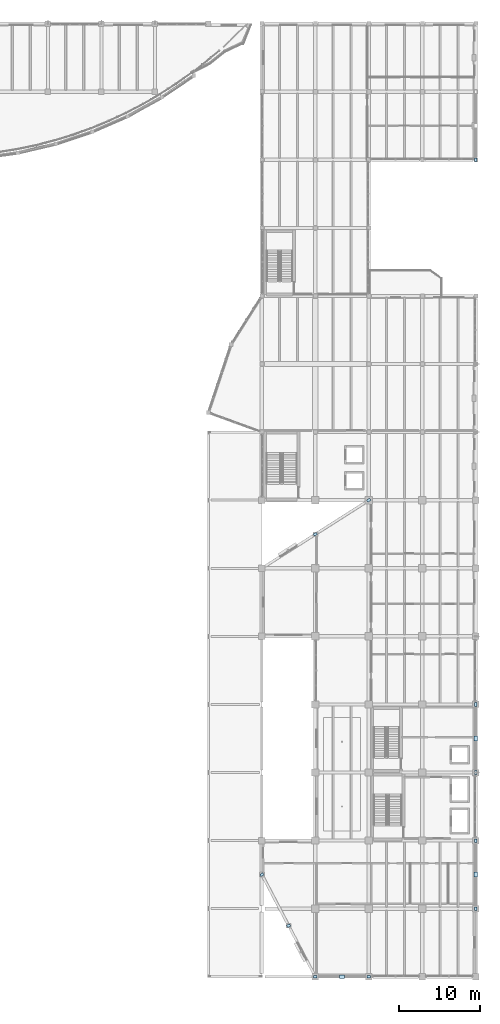
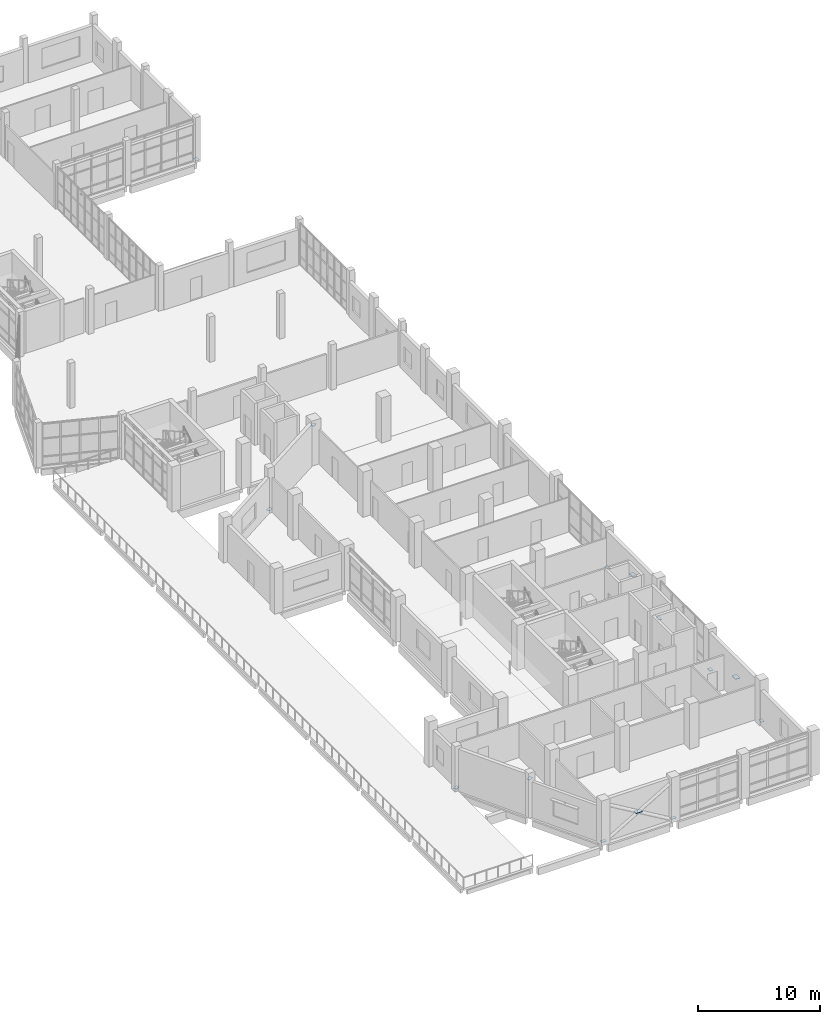
# One storey, part 48 of 83: 14 plates.
"""IFC4 building model written with IfcOpenShell, lengths in metres."""

import ifcopenshell
import ifcopenshell.guid

model = None  # the IFC model being written
_history = None  # IfcOwnerHistory: only IFC2X3 demands one
_inside = {}  # id of a spatial element -> (the spatial element, [elements in it])
_under = {}  # id of a project, library or spatial element -> (it, [spatial elements below it])
_declared = {}  # id of a project -> (the project, [libraries it declares])
_typed = {}  # id of a type object -> (the type object, [elements of that type])
_made_of = {}  # id of a material, layer set ... -> (it, [elements and type objects made of it])


def new_model(schema):
    """Start an empty IFC model of exactly this schema.

    Asked for "IFC4X3", IfcOpenShell would pick the latest addendum, in which some entities
    have other attributes; the version numbers below select the first issue.
    IFC2X3 requires an IfcOwnerHistory on every rooted entity: one is made here for all.
    """
    global model, _history
    if schema == "IFC4X3":
        model = ifcopenshell.file(schema_version=(4, 3, 0, 0))
    else:
        model = ifcopenshell.file(schema=schema)
    _inside.clear()
    _under.clear()
    _declared.clear()
    _typed.clear()
    _made_of.clear()
    _history = None
    if model.schema == "IFC2X3":
        org = make("IfcOrganization", Name="unknown")
        user = make(
            "IfcPersonAndOrganization",
            ThePerson=make("IfcPerson", FamilyName="unknown"),
            TheOrganization=org,
        )
        app = make(
            "IfcApplication",
            ApplicationDeveloper=org,
            Version="unknown",
            ApplicationFullName="unknown",
            ApplicationIdentifier="unknown",
        )
        _history = make(
            "IfcOwnerHistory",
            OwningUser=user,
            OwningApplication=app,
            ChangeAction="ADDED",
            CreationDate=0,
        )
    return model


def make(cls, **values):
    """One entity of the class cls with the attributes given. An attribute that is None is left unset."""
    return model.create_entity(
        cls, **{name: value for name, value in values.items() if value is not None}
    )


def rooted(cls, **values):
    """An entity with a GlobalId (a new one), such as an element, a storey or a relation."""
    return make(cls, GlobalId=ifcopenshell.guid.new(), OwnerHistory=_history, **values)


def si_unit(unit_type, name, prefix=None):
    """IfcSIUnit, for example si_unit("LENGTHUNIT", "METRE", prefix="MILLI")."""
    return make("IfcSIUnit", UnitType=unit_type, Prefix=prefix, Name=name)


def assignment(units):
    """IfcUnitAssignment: the units of a project."""
    return None if units is None else make("IfcUnitAssignment", Units=units)


def point(xyz):
    """IfcCartesianPoint."""
    return None if xyz is None else make("IfcCartesianPoint", Coordinates=xyz)


def direction(xyz):
    """IfcDirection."""
    return None if xyz is None else make("IfcDirection", DirectionRatios=xyz)


def frame(location, z_axis=None, x_axis=None):
    """IfcAxis2Placement3D, a coordinate frame: its origin and axes. An axis left out is left unset."""
    return make(
        "IfcAxis2Placement3D",
        Location=point(location),
        Axis=direction(z_axis),
        RefDirection=direction(x_axis),
    )


def frame_2d(location, x_axis=None):
    """IfcAxis2Placement2D, a coordinate frame in the plane: its origin and x axis."""
    return make(
        "IfcAxis2Placement2D", Location=point(location), RefDirection=direction(x_axis)
    )


def origin():
    """The frame at (0, 0, 0) with its axes left unset."""
    return frame((0.0, 0.0, 0.0))


def origin_2d():
    """The frame at (0, 0) in the plane with its x axis left unset."""
    return frame_2d((0.0, 0.0))


def place(relative_to, where):
    """IfcLocalPlacement: puts the frame where relative to a parent placement (None: the world)."""
    return make(
        "IfcLocalPlacement", PlacementRelTo=relative_to, RelativePlacement=where
    )


def context(
    kind, dimensions, precision=None, world=None, true_north=None, identifier=None
):
    """IfcGeometricRepresentationContext, for example the 3D "Model" context."""
    return make(
        "IfcGeometricRepresentationContext",
        ContextIdentifier=identifier,
        ContextType=kind,
        CoordinateSpaceDimension=dimensions,
        Precision=precision,
        WorldCoordinateSystem=world,
        TrueNorth=true_north,
    )


def subcontext(parent, identifier, kind, view, scale=None):
    """IfcGeometricRepresentationSubContext, for example "Body" below "Model"."""
    return make(
        "IfcGeometricRepresentationSubContext",
        ContextIdentifier=identifier,
        ContextType=kind,
        ParentContext=parent,
        TargetScale=scale,
        TargetView=view,
    )


def project(units=None, contexts=None):
    """IfcProject with its units and contexts."""
    return rooted(
        "IfcProject",
        Name="project",
        RepresentationContexts=contexts,
        UnitsInContext=assignment(units),
    )


def spatial(cls, under=None, at=None, **own):
    """A site, building, storey or space (cls), placed at a placement, below another one or the project."""
    s = rooted(cls, ObjectPlacement=at, **own)
    if under is not None:
        _under.setdefault(under.id(), (under, []))[1].append(s)
    return s


def profile(cls, at=None, kind="AREA", **sizes):
    """A parametric profile (cls). Its sizes go by their IFC names, for example OverallWidth=200.0."""
    return make(cls, ProfileType=kind, Position=at, **sizes)


def rectangle(**sizes):
    """IfcRectangleProfileDef."""
    return profile("IfcRectangleProfileDef", **sizes)


def extrude(swept, where, along, depth):
    """IfcExtrudedAreaSolid: the profile swept, set in the frame where, extruded along a direction by depth."""
    return make(
        "IfcExtrudedAreaSolid",
        SweptArea=swept,
        Position=where,
        ExtrudedDirection=direction(along),
        Depth=depth,
    )


def shape(context_of_items, identifier, shape_type, items):
    """IfcShapeRepresentation: the items that make up one representation, for example the "Body"."""
    return make(
        "IfcShapeRepresentation",
        ContextOfItems=context_of_items,
        RepresentationIdentifier=identifier,
        RepresentationType=shape_type,
        Items=items,
    )


def material(Name=None, Category=None):
    """IfcMaterial."""
    return make("IfcMaterial", Name=Name, Category=Category)


def layer(
    of_material, thickness, ventilated=None, Name=None, Category=None, Priority=None
):
    """IfcMaterialLayer: one layer of a wall or slab, of a material (None: an air gap)."""
    return make(
        "IfcMaterialLayer",
        Material=of_material,
        LayerThickness=thickness,
        IsVentilated=ventilated,
        Name=Name,
        Category=Category,
        Priority=Priority,
    )


def layer_set(layers, Name=None):
    """IfcMaterialLayerSet."""
    return make("IfcMaterialLayerSet", MaterialLayers=layers, LayerSetName=Name)


def made_of(thing, what):
    """Note that an element or type object is made of a material, layer set ...; save() writes the relation."""
    if what is not None:
        _made_of.setdefault(what.id(), (what, []))[1].append(thing)
    return thing


def type_object(cls, material=None, **own):
    """A type object (cls), such as IfcWallType, which elements share."""
    return made_of(rooted(cls, **own), material)


def element(
    cls,
    number,
    at=None,
    inside=None,
    cuts=None,
    type_object=None,
    material=None,
    context=None,
    identifier="Body",
    shape_type=None,
    held_by="IfcProductDefinitionShape",
    body=None,
    shapes=None,
    **own,
):
    """One element of the class cls, such as IfcWall. Its Tag is "e" and its number.

    at: its placement. inside: the storey or other place that contains it. cuts: it is an
    opening in that element (IfcRelVoidsElement). A single representation is given by context,
    identifier, shape_type and body (its items); several are given by shapes. held_by: the class
    of the entity that holds the representations. save() writes the other relations.
    """
    e = rooted(cls, Tag="e%d" % number, ObjectPlacement=at, **own)
    if body is not None:
        shapes = [shape(context, identifier, shape_type, body)]
    if shapes is not None:
        e.Representation = make(held_by, Representations=shapes)
    if inside is not None:
        _inside.setdefault(inside.id(), (inside, []))[1].append(e)
    if cuts is not None:
        rooted(
            "IfcRelVoidsElement", RelatingBuildingElement=cuts, RelatedOpeningElement=e
        )
    if type_object is not None:
        _typed.setdefault(type_object.id(), (type_object, []))[1].append(e)
    return made_of(e, material)


def aggregate(whole, parts):
    """IfcRelAggregates: a whole, such as a stair, and the parts it consists of."""
    return rooted("IfcRelAggregates", RelatingObject=whole, RelatedObjects=parts)


def save(model, path):
    """Write the relations noted so far, then the file.

    IfcRelAggregates (storeys below a building ...), IfcRelContainedInSpatialStructure (elements
    in a storey), IfcRelDefinesByType, IfcRelAssociatesMaterial and IfcRelDeclares: one each for
    every whole, place, type object, material and project.
    """
    for whole, parts in _under.values():
        aggregate(whole, parts)
    for where, things in _inside.values():
        rooted(
            "IfcRelContainedInSpatialStructure",
            RelatedElements=things,
            RelatingStructure=where,
        )
    for kind, things in _typed.values():
        rooted("IfcRelDefinesByType", RelatedObjects=things, RelatingType=kind)
    for what, things in _made_of.values():
        rooted("IfcRelAssociatesMaterial", RelatedObjects=things, RelatingMaterial=what)
    for by, libraries in _declared.values():
        rooted("IfcRelDeclares", RelatingContext=by, RelatedDefinitions=libraries)
    model.write(path)


model = new_model("IFC4")

# Units and contexts
model_context = context("Model", 3, precision=1e-05, world=origin(), true_north=direction((0.0, 1.0)))
body_context = subcontext(model_context, "Body", "Model", "MODEL_VIEW")
ifc_project = project(units=[si_unit("LENGTHUNIT", "METRE"), si_unit("AREAUNIT", "SQUARE_METRE"), si_unit("VOLUMEUNIT", "CUBIC_METRE"), si_unit("PLANEANGLEUNIT", "RADIAN"), si_unit("MASSUNIT", "GRAM", prefix="KILO")], contexts=[model_context])

# Site, building, storey
site_placement = place(None, origin())
site = spatial("IfcSite", under=ifc_project, at=site_placement, CompositionType="ELEMENT")
building_placement = place(site_placement, origin())
building = spatial("IfcBuilding", under=site, at=building_placement, Name="Qaldarim Faculty of Natural and Applied Sciences", CompositionType="ELEMENT")
storey_placement = place(building_placement, frame((0.0, 0.0, 5.39990234375)))
storey = spatial("IfcBuildingStorey", under=building, at=storey_placement, Name="L01", CompositionType="ELEMENT", Elevation=5.39990234375)

# Plates
ifc_material = material(Name="Structural steel S355", Category="steel")
ifc_layer_1 = layer(ifc_material, 0.02001953125)
ifc_layer_set_1 = layer_set([ifc_layer_1], Name="Structural steel S355")
plate_type_1 = type_object("IfcPlateType", Name="GussetPlate-S355-450x320x20", PredefinedType="SHEET", material=ifc_layer_set_1)
for number, where, z_axis, x_axis, name in (
    (1, (158.39990234375, 0.0, 0.14013671875), (0.0, 0.0, 1.0), (1.0, 0.0, 0.0), "South diagrid L01 base gusset BL"),
    (2, (165.0, 0.0, 0.14013671875), (0.0, 0.0, 1.0), (1.0, 0.0, 0.0), "South diagrid L01 base gusset BR"),
    (3, (178.199951171875, 8.39990234375, 0.14013671875), (0.0, 0.0, 1.0), (0.0, 1.0, 0.0), "East diagrid L01 base gusset BL"),
    (4, (178.199951171875, 16.800048828125, 0.14013671875), (0.0, 0.0, 1.0), (0.0, 1.0, 0.0), "East diagrid L01 base gusset BR"),
    (5, (178.199951171875, 25.199951171875, 0.14013671875), (0.0, 0.0, 1.0), (0.0, 1.0, 0.0), "Upper east diagrid L01 base gusset BL"),
    (6, (178.199951171875, 33.60009765625, 0.14013671875), (0.0, 0.0, 1.0), (0.0, 1.0, 0.0), "Upper east diagrid L01 base gusset BR"),
    (7, (178.199951171875, 100.800048828125, 0.14013671875), (0.0, 0.0, 1.0), (0.0, 1.0, 0.0), "Commons east diagrid L01 base gusset BL"),
    (8, (151.800048828125, 12.60009765625, 0.150146484375), (0.0, 0.0, 1.0), (0.882947592859, 0.469471562786, 0.0), "Oblique SW brace base plate L01 1"),
    (9, (155.10009765625, 6.300048828125, 3.72998046875), (0.0, 0.0, 1.0), (0.882947592859, 0.469471562786, 0.0), "Oblique SW brace head plate L01 1"),
    (10, (158.39990234375, 54.60009765625, 0.150146484375), (0.0, 0.0, 1.0), (0.838670567945, 0.544639035015, 0.0), "Oblique NW brace base plate L01"),
    (11, (165.0, 58.800048828125, 3.72998046875), (0.0, 0.0, 1.0), (0.838670567945, 0.544639035015, 0.0), "Oblique NW brace head plate L01"),
):
    element("IfcPlate", number, at=place(storey_placement, frame(where, z_axis=z_axis, x_axis=x_axis)), inside=storey, type_object=plate_type_1, Name=name, PredefinedType="SHEET", context=body_context, shape_type="SweptSolid", body=[
        extrude(rectangle(XDim=0.449951171875, YDim=0.320068359375, at=origin_2d()), origin(), (0.0, 0.0, 1.0), 0.02001953125),
    ])
ifc_layer_2 = layer(ifc_material, 0.0400390625)
ifc_layer_set_2 = layer_set([ifc_layer_2], Name="Structural steel S355")
plate_type_2 = type_object("IfcPlateType", Name="NodePlate-S355-600x420x40", PredefinedType="SHEET", material=ifc_layer_set_2)
for number, where, z_axis, x_axis, name in (
    (12, (161.699951171875, 0.0, 1.93017578125), (0.0, 0.0, 1.0), (1.0, 0.0, 0.0), "South diagrid L01 X-crossing gusset plate"),
    (13, (178.199951171875, 12.60009765625, 1.93017578125), (0.0, 0.0, 1.0), (0.0, 1.0, 0.0), "East diagrid L01 X-crossing gusset plate"),
    (14, (178.199951171875, 29.39990234375, 1.93017578125), (0.0, 0.0, 1.0), (0.0, 1.0, 0.0), "Upper east diagrid L01 X-crossing gusset plate"),
):
    element("IfcPlate", number, at=place(storey_placement, frame(where, z_axis=z_axis, x_axis=x_axis)), inside=storey, type_object=plate_type_2, Name=name, PredefinedType="SHEET", context=body_context, shape_type="SweptSolid", body=[
        extrude(rectangle(XDim=0.60009765625, YDim=0.419921875, at=origin_2d()), origin(), (0.0, 0.0, 1.0), 0.0400390625),
    ])

save(model, "model.ifc")
